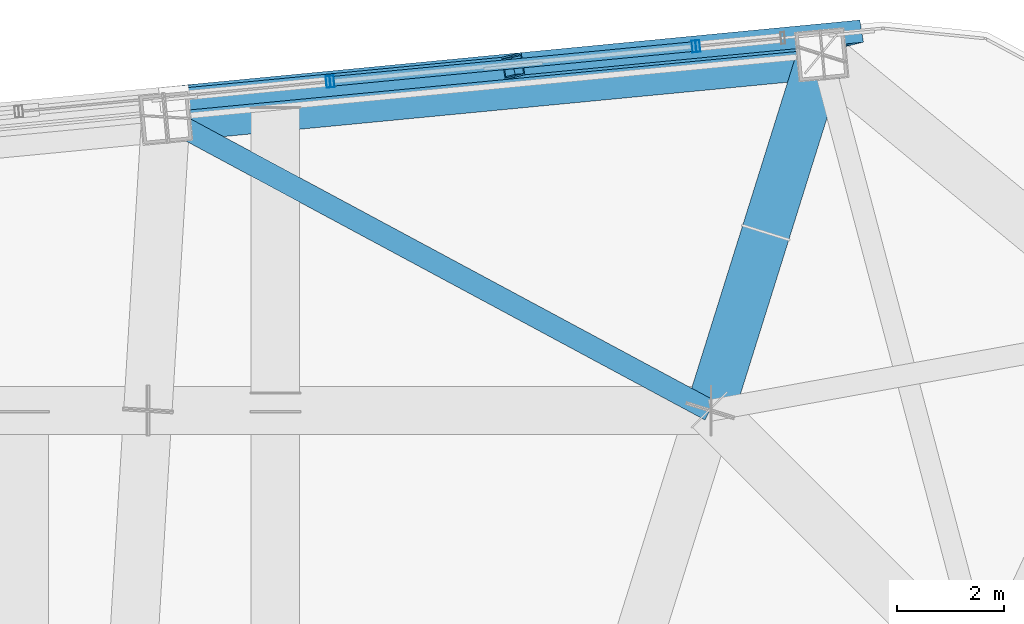
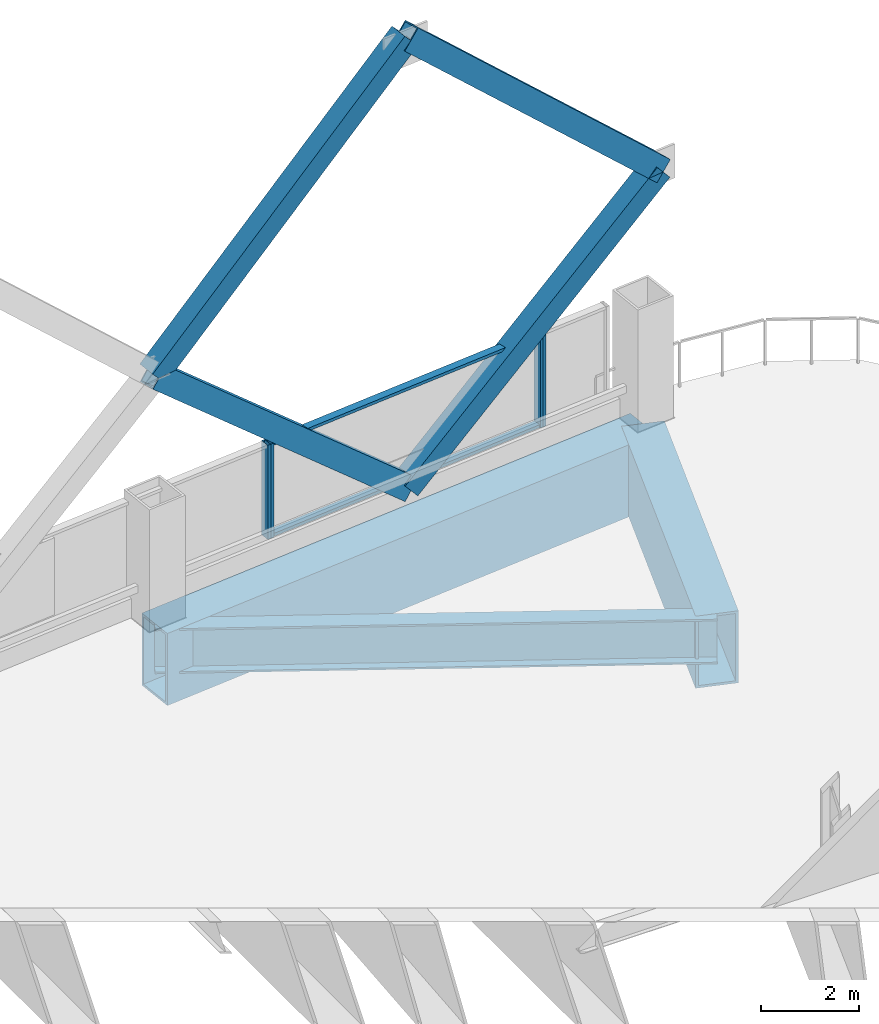
# One storey, part 31 of 42: 10 members, 3 beams, 3 elements without a shape of their own.
"""IFC4 building model written with IfcOpenShell, lengths in metres."""

from ifc_helpers import new_model, si_unit, direction, frame, origin, origin_2d, place, context, subcontext, project, spatial, hollow_rectangle, i_section, extrude, material, layer, layer_set, material_profile, profile_set, type_object, element, aggregate, save


model = new_model("IFC4")

# Units and contexts
model_context = context("Model", 3, precision=1e-05, world=origin(), true_north=direction((0.0, 1.0)))
body_context = subcontext(model_context, "Body", "Model", "MODEL_VIEW")
ifc_project = project(units=[si_unit("LENGTHUNIT", "METRE"), si_unit("AREAUNIT", "SQUARE_METRE"), si_unit("VOLUMEUNIT", "CUBIC_METRE"), si_unit("PLANEANGLEUNIT", "RADIAN"), si_unit("MASSUNIT", "GRAM", prefix="KILO")], contexts=[model_context])

# Site, building, storey
site_placement = place(None, origin())
site = spatial("IfcSite", under=ifc_project, at=site_placement, CompositionType="ELEMENT")
building_placement = place(site_placement, origin())
building = spatial("IfcBuilding", under=site, at=building_placement, Name="Qhalaya Broadcast Tower", CompositionType="ELEMENT")
storey_placement = place(building_placement, frame((0.0, 0.0, 69.449951171875)))
storey = spatial("IfcBuildingStorey", under=building, at=storey_placement, Name="L19", CompositionType="ELEMENT", Elevation=69.449951171875)

# Beams
ifc_material_1 = material(Name="Structural Steel ASTM A572 Grade 50", Category="steel")
ifc_material_profile_1 = material_profile(ifc_material_1, hollow_rectangle(XDim=0.89990234375, YDim=1.800048828125, WallThickness=0.06005859375, at=origin_2d()), Name="BOX 900x1800x60")
ifc_profile_set_1 = profile_set([ifc_material_profile_1], Name="Structural Steel ASTM A572 Grade 50")
beam_type_1 = type_object("IfcBeamType", Name="Block Cantilever Transfer Box Girder TG1", PredefinedType="USERDEFINED", material=ifc_profile_set_1)
beam_1_placement = place(storey_placement, frame((19.54541015625, 29.29248046875, -1.119873046875), z_axis=(-0.995397535354, -0.095831866369, 0.0), x_axis=(0.095831866369, -0.995397535354, 0.0)))
element("IfcBeam", 1, at=beam_1_placement, inside=storey, type_object=beam_type_1, Name="L19 TG1 L19-SPR-09", ObjectType="GIRDER", PredefinedType="USERDEFINED", context=body_context, shape_type="SweptSolid", body=[
    extrude(hollow_rectangle(XDim=0.89990234375, YDim=1.800048828125, WallThickness=0.06005859375, at=origin_2d()), origin(), (0.0, 0.0, 1.0), 12.2666015625),
])
beam_2_placement = place(storey_placement, frame((17.469970703125, 22.669921875, -1.119873046875), z_axis=(0.299048059841, 0.954238050963, 0.0), x_axis=(-0.954238050963, 0.299048059841, 0.0)))
element("IfcBeam", 2, at=beam_2_placement, inside=storey, type_object=beam_type_1, Name="L19 Cantilever Transfer Box Girder 09", ObjectType="GIRDER", PredefinedType="USERDEFINED", context=body_context, shape_type="SweptSolid", body=[
    extrude(hollow_rectangle(XDim=0.89990234375, YDim=1.800048828125, WallThickness=0.06005859375, at=origin_2d()), origin(), (0.0, 0.0, 1.0), 6.940185546875),
])

# Members
ifc_material_profile_2 = material_profile(ifc_material_1, hollow_rectangle(XDim=0.419921875, YDim=0.550048828125, WallThickness=0.028076171875, at=origin_2d()), Name="BOX 420x550x28")
ifc_profile_set_2 = profile_set([ifc_material_profile_2], Name="Structural Steel ASTM A572 Grade 50")
member_type_1 = type_object("IfcMemberType", Name="Exoskeleton Diamond Diagonal Mid-Low EX2", PredefinedType="BRACE", material=ifc_profile_set_2)
for number, where, z_axis, x_axis, name in (
    (3, (13.805908203125, 29.08154296875, 0.360107421875), (0.758635580976, 0.073066636585, 0.647405067864), (-0.157193441444, 0.984862499798, 0.073048466507), "B2 Exoskeleton Diamond Brace N1-D1"),
    (4, (13.805908203125, 29.08154296875, 0.360107421875), (-0.758637209183, -0.073037413912, 0.647406457345), (0.157155783857, -0.98486851796, 0.073048353381), "B2 Exoskeleton Diamond Brace N1-D2"),
):
    element("IfcMember", number, at=place(storey_placement, frame(where, z_axis=z_axis, x_axis=x_axis)), inside=storey, type_object=member_type_1, Name=name, PredefinedType="BRACE", context=body_context, shape_type="SweptSolid", body=[
        extrude(hollow_rectangle(XDim=0.419921875, YDim=0.550048828125, WallThickness=0.028076171875, at=origin_2d()), origin(), (0.0, 0.0, 1.0), 8.309814453125),
    ])
for number, where, z_axis, x_axis, name in (
    (5, (20.110107421875, 29.688720703125, 5.739990234375), (-0.730618100613, -0.070368182799, 0.6791505797), (0.160222099068, -0.984570800026, 0.070350683768), "B2 Exoskeleton Diamond Brace N1-D3"),
    (6, (7.501708984375, 28.474609375, 5.739990234375), (0.730619555004, 0.070340028415, 0.679151931638), (-0.160184449091, 0.984576934745, 0.070350563873), "B2 Exoskeleton Diamond Brace N1-D4"),
):
    element("IfcMember", number, at=place(storey_placement, frame(where, z_axis=z_axis, x_axis=x_axis)), inside=storey, type_object=member_type_1, Name=name, PredefinedType="BRACE", context=body_context, shape_type="SweptSolid", body=[
        extrude(hollow_rectangle(XDim=0.419921875, YDim=0.550048828125, WallThickness=0.028076171875, at=origin_2d()), origin(), (0.0, 0.0, 1.0), 8.628662109375),
    ])

# Beam
ifc_material_2 = material(Name="Structural Steel ASTM A992 Grade 50", Category="steel")
ifc_material_profile_3 = material_profile(ifc_material_2, i_section(OverallWidth=0.404052734375, OverallDepth=1.117919921875, WebThickness=0.026123046875, FlangeThickness=0.044921875, at=origin_2d()), Name="W44X335")
ifc_profile_set_3 = profile_set([ifc_material_profile_3], Name="Structural Steel ASTM A992 Grade 50")
beam_type_2 = type_object("IfcBeamType", Name="Podium Long-Span Primary Girder PG1", PredefinedType="USERDEFINED", material=ifc_profile_set_3)
beam_3_placement = place(storey_placement, frame((17.469970703125, 22.669921875, -0.779052734375), z_axis=(-0.880839439387, 0.473415126522, 0.0), x_axis=(-0.473415126522, -0.880839439387, 0.0)))
element("IfcBeam", 7, at=beam_3_placement, inside=storey, type_object=beam_type_2, Name="L19 Column-to-Column Moment Tie Girder 10-2", ObjectType="GIRDER", PredefinedType="USERDEFINED", context=body_context, shape_type="SweptSolid", body=[
    extrude(i_section(OverallWidth=0.404052734375, OverallDepth=1.117919921875, WebThickness=0.026123046875, FlangeThickness=0.044921875, at=origin_2d()), origin(), (0.0, 0.0, 1.0), 11.505859375),
])

# Curtain wall, member
ifc_material_3 = material(Name="Solar-Control Low-E Triple Glazing", Category="glass")
ifc_layer_1 = layer(ifc_material_3, 0.219970703125, Name="Solar-Control Low-E Triple Glazing")
ifc_layer_set_1 = layer_set([ifc_layer_1], Name="Solar-Control Low-E Triple Glazing")
curtain_wall_type_1 = type_object("IfcCurtainWallType", Name="Even-Block 4-Storey Double-Module Curtain Wall CW-03", PredefinedType="NOTDEFINED", material=ifc_layer_set_1)
curtain_wall_1_placement = place(storey_placement, origin())
curtain_wall_1 = element("IfcCurtainWall", 8, at=curtain_wall_1_placement, inside=storey, type_object=curtain_wall_type_1, Name="L19 Unitised Curtain Wall L19-CW-N1", PredefinedType="NOTDEFINED")
ifc_material_4 = material(Name="Anodised Aluminium 6063-T6", Category="aluminium")
ifc_material_profile_4 = material_profile(ifc_material_4, hollow_rectangle(XDim=0.074951171875, YDim=0.219970703125, WallThickness=0.00390625, at=origin_2d()), Name="ALU-MUL 75x220x4")
ifc_profile_set_4 = profile_set([ifc_material_profile_4], Name="Anodised Aluminium 6063-T6")
member_type_2 = type_object("IfcMemberType", Name="Unitised Curtain-Wall Mullion M01", PredefinedType="MULLION", material=ifc_profile_set_4)
member_1_placement = place(storey_placement, frame((17.2451171875, 29.452880859375, 0.47998046875), z_axis=(0.0, 0.0, 1.0), x_axis=(-0.995395680125, -0.095851134517, 0.0)))
member_1 = element("IfcMember", 9, at=member_1_placement, type_object=member_type_2, Name="CW-03 mullion 2", PredefinedType="MULLION", context=body_context, shape_type="SweptSolid", body=[
    extrude(hollow_rectangle(XDim=0.074951171875, YDim=0.219970703125, WallThickness=0.00390625, at=origin_2d()), origin(), (0.0, 0.0, 1.0), 2.35009765625),
])
aggregate(curtain_wall_1, [member_1])

# Curtain wall, members
ifc_material_5 = material(Name="Fired Architectural Terracotta", Category="masonry")
ifc_layer_2 = layer(ifc_material_5, 0.219970703125, Name="Fired Architectural Terracotta")
ifc_layer_set_2 = layer_set([ifc_layer_2], Name="Fired Architectural Terracotta")
curtain_wall_type_2 = type_object("IfcCurtainWallType", Name="Block-Cap Unitised Terracotta Spandrel Wall CW-07", PredefinedType="NOTDEFINED", material=ifc_layer_set_2)
curtain_wall_2_placement = place(storey_placement, origin())
curtain_wall_2 = element("IfcCurtainWall", 10, at=curtain_wall_2_placement, inside=storey, type_object=curtain_wall_type_2, Name="L19 Unitised Curtain Wall L19-CW-N2", PredefinedType="NOTDEFINED")
member_2_placement = place(storey_placement, frame((17.17041015625, 29.44580078125, 0.47998046875), z_axis=(0.0, 0.0, 1.0), x_axis=(-0.995395819861, -0.095849683373, 0.0)))
member_2 = element("IfcMember", 11, at=member_2_placement, type_object=member_type_2, Name="CW-07 mullion 1", PredefinedType="MULLION", context=body_context, shape_type="SweptSolid", body=[
    extrude(hollow_rectangle(XDim=0.074951171875, YDim=0.219970703125, WallThickness=0.00390625, at=origin_2d()), origin(), (0.0, 0.0, 1.0), 2.35009765625),
])
member_3_placement = place(storey_placement, frame((10.43359375, 28.796875, 0.47998046875), z_axis=(0.0, 0.0, 1.0), x_axis=(-0.995395819861, -0.095849683373, 0.0)))
member_3 = element("IfcMember", 12, at=member_3_placement, type_object=member_type_2, Name="CW-07 mullion 2", PredefinedType="MULLION", context=body_context, shape_type="SweptSolid", body=[
    extrude(hollow_rectangle(XDim=0.074951171875, YDim=0.219970703125, WallThickness=0.00390625, at=origin_2d()), origin(), (0.0, 0.0, 1.0), 2.35009765625),
])

# Curtain wall, member
curtain_wall_3_placement = place(storey_placement, origin())
curtain_wall_3 = element("IfcCurtainWall", 13, at=curtain_wall_3_placement, inside=storey, type_object=curtain_wall_type_1, Name="L19 Unitised Curtain Wall L19-CW-N3", PredefinedType="NOTDEFINED")
member_4_placement = place(storey_placement, frame((10.35888671875, 28.789794921875, 0.47998046875), z_axis=(0.0, 0.0, 1.0), x_axis=(-0.995396371729, -0.095843952075, 0.0)))
member_4 = element("IfcMember", 14, at=member_4_placement, type_object=member_type_2, Name="CW-03 mullion 1", PredefinedType="MULLION", context=body_context, shape_type="SweptSolid", body=[
    extrude(hollow_rectangle(XDim=0.074951171875, YDim=0.219970703125, WallThickness=0.00390625, at=origin_2d()), origin(), (0.0, 0.0, 1.0), 2.35009765625),
])
aggregate(curtain_wall_3, [member_4])

# Member
ifc_material_profile_5 = material_profile(ifc_material_4, hollow_rectangle(XDim=0.074951171875, YDim=0.179931640625, WallThickness=0.00390625, at=origin_2d()), Name="ALU-TRN 75x180x4")
ifc_profile_set_5 = profile_set([ifc_material_profile_5], Name="Anodised Aluminium 6063-T6")
member_type_3 = type_object("IfcMemberType", Name="Unitised Curtain-Wall Transom T01", PredefinedType="USERDEFINED", material=ifc_profile_set_5)
member_5_placement = place(storey_placement, frame((17.133056640625, 29.442138671875, 0.517578125), z_axis=(-0.995394581881, -0.095862538888, 0.0), x_axis=(0.0, 0.0, 1.0)))
member_5 = element("IfcMember", 15, at=member_5_placement, type_object=member_type_3, Name="CW-07 transom 1.1", ObjectType="TRANSOM", PredefinedType="USERDEFINED", context=body_context, shape_type="SweptSolid", body=[
    extrude(hollow_rectangle(XDim=0.074951171875, YDim=0.179931640625, WallThickness=0.00390625, at=origin_2d()), origin(), (0.0, 0.0, 1.0), 6.69287109375),
])

member_6_placement = place(storey_placement, frame((17.133056640625, 29.442138671875, 2.79248046875), z_axis=(-0.995394581881, -0.095862538888, 0.0), x_axis=(0.0, 0.0, 1.0)))
member_6 = element("IfcMember", 16, at=member_6_placement, type_object=member_type_3, Name="CW-07 transom 1.2", ObjectType="TRANSOM", PredefinedType="USERDEFINED", context=body_context, shape_type="SweptSolid", body=[
    extrude(hollow_rectangle(XDim=0.074951171875, YDim=0.179931640625, WallThickness=0.00390625, at=origin_2d()), origin(), (0.0, 0.0, 1.0), 6.69287109375),
])

aggregate(curtain_wall_2, [member_2, member_3, member_5, member_6])

save(model, "model.ifc")
